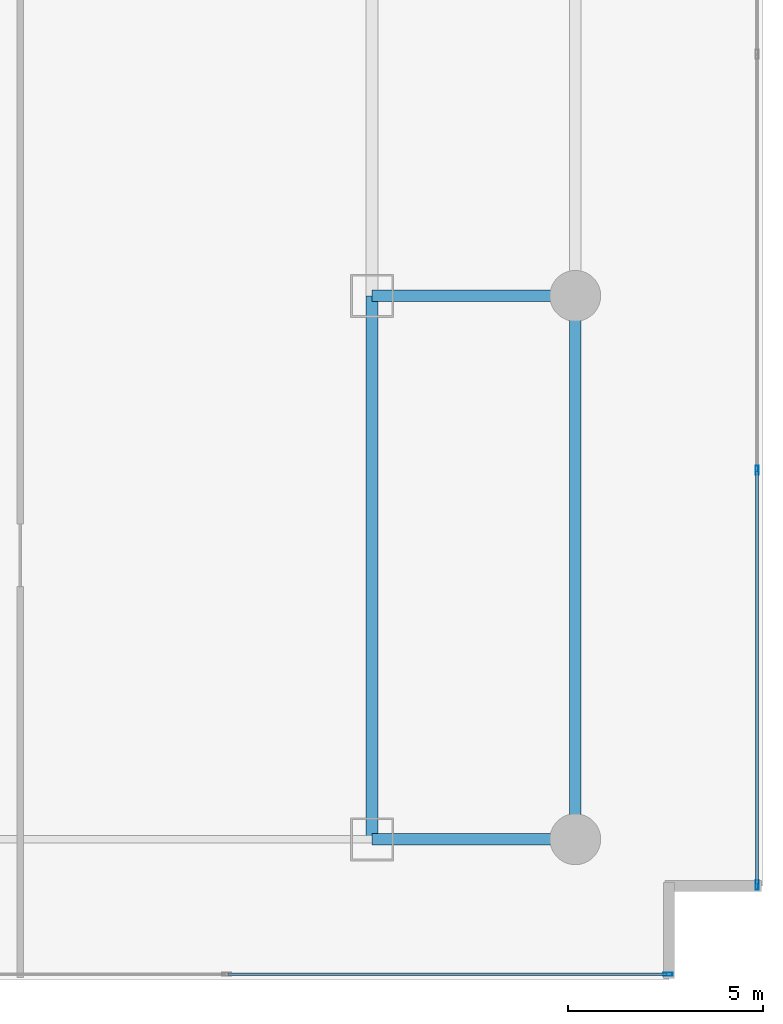
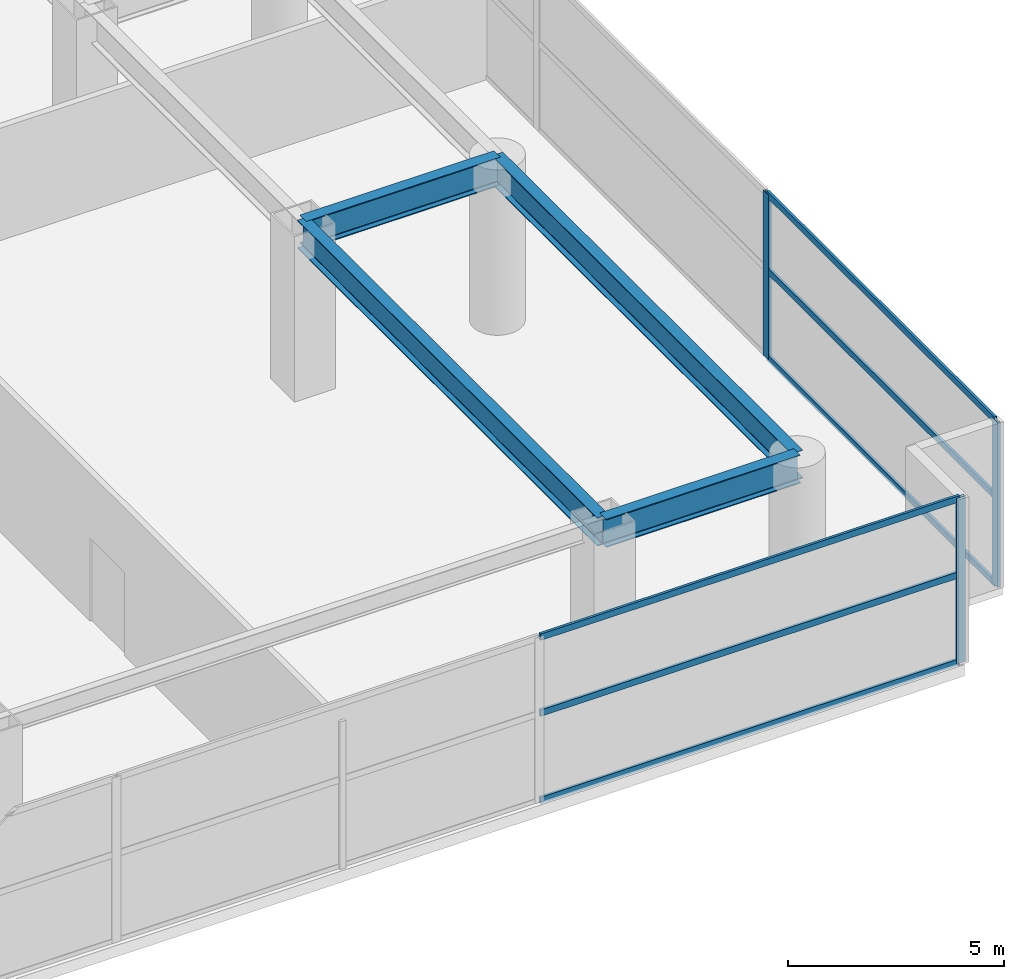
# One storey, part 22 of 35: 9 members, 4 beams, 2 elements without a shape of their own.
"""IFC4 building model written with IfcOpenShell, lengths in metres."""

from ifc_helpers import new_model, si_unit, direction, frame, origin, origin_2d, place, context, subcontext, project, spatial, hollow_rectangle, i_section, extrude, material, layer, layer_set, material_profile, profile_set, type_object, element, aggregate, save


model = new_model("IFC4")

# Units and contexts
model_context = context("Model", 3, precision=1e-05, world=origin(), true_north=direction((0.0, 1.0)))
body_context = subcontext(model_context, "Body", "Model", "MODEL_VIEW")
ifc_project = project(units=[si_unit("LENGTHUNIT", "METRE"), si_unit("AREAUNIT", "SQUARE_METRE"), si_unit("VOLUMEUNIT", "CUBIC_METRE"), si_unit("PLANEANGLEUNIT", "RADIAN"), si_unit("MASSUNIT", "GRAM", prefix="KILO")], contexts=[model_context])

# Site, building, storey
site_placement = place(None, origin())
site = spatial("IfcSite", under=ifc_project, at=site_placement, CompositionType="ELEMENT")
building_placement = place(site_placement, origin())
building = spatial("IfcBuilding", under=site, at=building_placement, Name="Calvorn Quay Hotel", CompositionType="ELEMENT")
storey_placement = place(building_placement, frame((0.0, 0.0, 12.0)))
storey = spatial("IfcBuildingStorey", under=building, at=storey_placement, Name="L02", CompositionType="ELEMENT", Elevation=12.0)

# Beams
ifc_material_1 = material(Name="Steel Q390GJC", Category="steel")
ifc_material_profile_1 = material_profile(ifc_material_1, i_section(OverallWidth=0.300048828125, OverallDepth=0.800048828125, WebThickness=0.013916015625, FlangeThickness=0.02587890625, FilletRadius=0.02392578125, at=origin_2d()), Name="HN800x300x14x26")
ifc_profile_set_1 = profile_set([ifc_material_profile_1], Name="Steel Q390GJC")
beam_type = type_object("IfcBeamType", Name="BM-GIRD-POD", PredefinedType="BEAM", material=ifc_profile_set_1)
for number, where, z_axis, x_axis, name in (
    (1, (74.0, 3.60009765625, 4.280029296875), (0.0, 1.0, 0.0), (-1.0, 0.0, 0.0), "Beam BG-L02-PE1"),
    (2, (79.199951171875, 3.60009765625, 4.280029296875), (0.0, 1.0, 0.0), (-1.0, 0.0, 0.0), "Beam BSP-L02-Q1"),
):
    element("IfcBeam", number, at=place(storey_placement, frame(where, z_axis=z_axis, x_axis=x_axis)), inside=storey, type_object=beam_type, Name=name, PredefinedType="BEAM", context=body_context, shape_type="SweptSolid", body=[
        extrude(i_section(OverallWidth=0.300048828125, OverallDepth=0.800048828125, WebThickness=0.013916015625, FlangeThickness=0.02587890625, FilletRadius=0.02392578125, at=origin_2d()), origin(), (0.0, 0.0, 1.0), 13.89990234375),
    ])
for number, where, z_axis, x_axis, name in (
    (3, (74.0, 3.60009765625, 4.280029296875), (1.0, 0.0, 0.0), (0.0, 1.0, 0.0), "Beam BG-L02-EQ1"),
    (4, (74.0, 17.5, 4.280029296875), (1.0, 0.0, 0.0), (0.0, 1.0, 0.0), "Beam BG-L02-EQ2"),
):
    element("IfcBeam", number, at=place(storey_placement, frame(where, z_axis=z_axis, x_axis=x_axis)), inside=storey, type_object=beam_type, Name=name, PredefinedType="BEAM", context=body_context, shape_type="SweptSolid", body=[
        extrude(i_section(OverallWidth=0.300048828125, OverallDepth=0.800048828125, WebThickness=0.013916015625, FlangeThickness=0.02587890625, FilletRadius=0.02392578125, at=origin_2d()), origin(), (0.0, 0.0, 1.0), 5.199951171875),
    ])

# Curtain wall, member
ifc_material_2 = material(Name="Pale Anodised Aluminium and Low-E Glass", Category="aluminium")
ifc_layer = layer(ifc_material_2, 0.219970703125)
ifc_layer_set = layer_set([ifc_layer], Name="CW-SYS-POD")
curtain_wall_type = type_object("IfcCurtainWallType", Name="CW-SYS-POD", PredefinedType="NOTDEFINED", material=ifc_layer_set)
curtain_wall_1_placement = place(storey_placement, origin())
curtain_wall_1 = element("IfcCurtainWall", 5, at=curtain_wall_1_placement, inside=storey, type_object=curtain_wall_type, Name="Podium Curtain Wall L02-S1", PredefinedType="NOTDEFINED")
ifc_material_3 = material(Name="Pale Anodised Aluminium 6063-T6", Category="aluminium")
ifc_material_profile_2 = material_profile(ifc_material_3, hollow_rectangle(XDim=0.080078125, YDim=0.239990234375, WallThickness=0.0048828125, at=origin_2d()), Name="ALU-M240x80x5")
ifc_profile_set_2 = profile_set([ifc_material_profile_2], Name="Pale Anodised Aluminium 6063-T6")
member_type_1 = type_object("IfcMemberType", Name="CW-SYS-POD-MUL", PredefinedType="MULLION", material=ifc_profile_set_2)
member_1_placement = place(storey_placement, frame((81.570068359375, 0.14990234375, 0.0), z_axis=(0.0, 0.0, 1.0), x_axis=(0.0, 1.0, 0.0)))
member_1 = element("IfcMember", 6, at=member_1_placement, type_object=member_type_1, Name="CW-L02-S1 mullion 8", PredefinedType="MULLION", context=body_context, shape_type="SweptSolid", body=[
    extrude(hollow_rectangle(XDim=0.080078125, YDim=0.239990234375, WallThickness=0.0048828125, at=origin_2d()), origin(), (0.0, 0.0, 1.0), 4.679931640625),
])

# Curtain wall, members
curtain_wall_2_placement = place(storey_placement, origin())
curtain_wall_2 = element("IfcCurtainWall", 7, at=curtain_wall_2_placement, inside=storey, type_object=curtain_wall_type, Name="Podium Curtain Wall L02-E1", PredefinedType="NOTDEFINED")
member_2_placement = place(storey_placement, frame((83.85009765625, 2.429931640625, 0.0), z_axis=(0.0, 0.0, 1.0), x_axis=(-1.0, 0.0, 0.0)))
member_2 = element("IfcMember", 8, at=member_2_placement, type_object=member_type_1, Name="CW-L02-E1 mullion 1", PredefinedType="MULLION", context=body_context, shape_type="SweptSolid", body=[
    extrude(hollow_rectangle(XDim=0.080078125, YDim=0.239990234375, WallThickness=0.0048828125, at=origin_2d()), origin(), (0.0, 0.0, 1.0), 4.679931640625),
])
member_3_placement = place(storey_placement, frame((83.85009765625, 13.0400390625, 0.0), z_axis=(0.0, 0.0, 1.0), x_axis=(-1.0, 0.0, 0.0)))
member_3 = element("IfcMember", 9, at=member_3_placement, type_object=member_type_1, Name="CW-L02-E1 mullion 2", PredefinedType="MULLION", context=body_context, shape_type="SweptSolid", body=[
    extrude(hollow_rectangle(XDim=0.080078125, YDim=0.239990234375, WallThickness=0.0048828125, at=origin_2d()), origin(), (0.0, 0.0, 1.0), 4.679931640625),
])

# Member
ifc_material_4 = material(Name="Pale Anodised Aluminium 6063-T6", Category="aluminium")
ifc_material_profile_3 = material_profile(ifc_material_4, hollow_rectangle(XDim=0.070068359375, YDim=0.179931640625, WallThickness=0.00390625, at=origin_2d()), Name="ALU-T180x70x4")
ifc_profile_set_3 = profile_set([ifc_material_profile_3], Name="Pale Anodised Aluminium 6063-T6")
member_type_2 = type_object("IfcMemberType", Name="CW-SYS-POD-TRN", PredefinedType="USERDEFINED", material=ifc_profile_set_3)
member_4_placement = place(storey_placement, frame((70.315673828125, 0.14990234375, 0.030029296875), z_axis=(1.0, 0.0, 0.0), x_axis=(0.0, 1.0, 0.0)))
member_4 = element("IfcMember", 10, at=member_4_placement, type_object=member_type_2, Name="CW-L02-S1 transom 7.1", ObjectType="TRANSOM", PredefinedType="USERDEFINED", context=body_context, shape_type="SweptSolid", body=[
    extrude(hollow_rectangle(XDim=0.070068359375, YDim=0.179931640625, WallThickness=0.00390625, at=origin_2d()), origin(), (0.0, 0.0, 1.0), 11.224365234375),
])

member_5_placement = place(storey_placement, frame((70.315673828125, 0.14990234375, 2.5), z_axis=(1.0, 0.0, 0.0), x_axis=(0.0, 1.0, 0.0)))
member_5 = element("IfcMember", 11, at=member_5_placement, type_object=member_type_2, Name="CW-L02-S1 transom 7.2", ObjectType="TRANSOM", PredefinedType="USERDEFINED", context=body_context, shape_type="SweptSolid", body=[
    extrude(hollow_rectangle(XDim=0.070068359375, YDim=0.179931640625, WallThickness=0.00390625, at=origin_2d()), origin(), (0.0, 0.0, 1.0), 11.224365234375),
])

member_6_placement = place(storey_placement, frame((70.315673828125, 0.14990234375, 4.64990234375), z_axis=(1.0, 0.0, 0.0), x_axis=(0.0, 1.0, 0.0)))
member_6 = element("IfcMember", 12, at=member_6_placement, type_object=member_type_2, Name="CW-L02-S1 transom 7.3", ObjectType="TRANSOM", PredefinedType="USERDEFINED", context=body_context, shape_type="SweptSolid", body=[
    extrude(hollow_rectangle(XDim=0.070068359375, YDim=0.179931640625, WallThickness=0.00390625, at=origin_2d()), origin(), (0.0, 0.0, 1.0), 11.224365234375),
])

aggregate(curtain_wall_1, [member_1, member_4, member_5, member_6])

member_7_placement = place(storey_placement, frame((83.85009765625, 2.4599609375, 0.030029296875), z_axis=(0.0, 1.0, 0.0), x_axis=(-1.0, 0.0, 0.0)))
member_7 = element("IfcMember", 13, at=member_7_placement, type_object=member_type_2, Name="CW-L02-E1 transom 1.1", ObjectType="TRANSOM", PredefinedType="USERDEFINED", context=body_context, shape_type="SweptSolid", body=[
    extrude(hollow_rectangle(XDim=0.070068359375, YDim=0.179931640625, WallThickness=0.00390625, at=origin_2d()), origin(), (0.0, 0.0, 1.0), 10.550048828125),
])

member_8_placement = place(storey_placement, frame((83.85009765625, 2.4599609375, 2.5), z_axis=(0.0, 1.0, 0.0), x_axis=(-1.0, 0.0, 0.0)))
member_8 = element("IfcMember", 14, at=member_8_placement, type_object=member_type_2, Name="CW-L02-E1 transom 1.2", ObjectType="TRANSOM", PredefinedType="USERDEFINED", context=body_context, shape_type="SweptSolid", body=[
    extrude(hollow_rectangle(XDim=0.070068359375, YDim=0.179931640625, WallThickness=0.00390625, at=origin_2d()), origin(), (0.0, 0.0, 1.0), 10.550048828125),
])

member_9_placement = place(storey_placement, frame((83.85009765625, 2.4599609375, 4.64990234375), z_axis=(0.0, 1.0, 0.0), x_axis=(-1.0, 0.0, 0.0)))
member_9 = element("IfcMember", 15, at=member_9_placement, type_object=member_type_2, Name="CW-L02-E1 transom 1.3", ObjectType="TRANSOM", PredefinedType="USERDEFINED", context=body_context, shape_type="SweptSolid", body=[
    extrude(hollow_rectangle(XDim=0.070068359375, YDim=0.179931640625, WallThickness=0.00390625, at=origin_2d()), origin(), (0.0, 0.0, 1.0), 10.550048828125),
])

aggregate(curtain_wall_2, [member_2, member_3, member_7, member_8, member_9])

save(model, "model.ifc")
